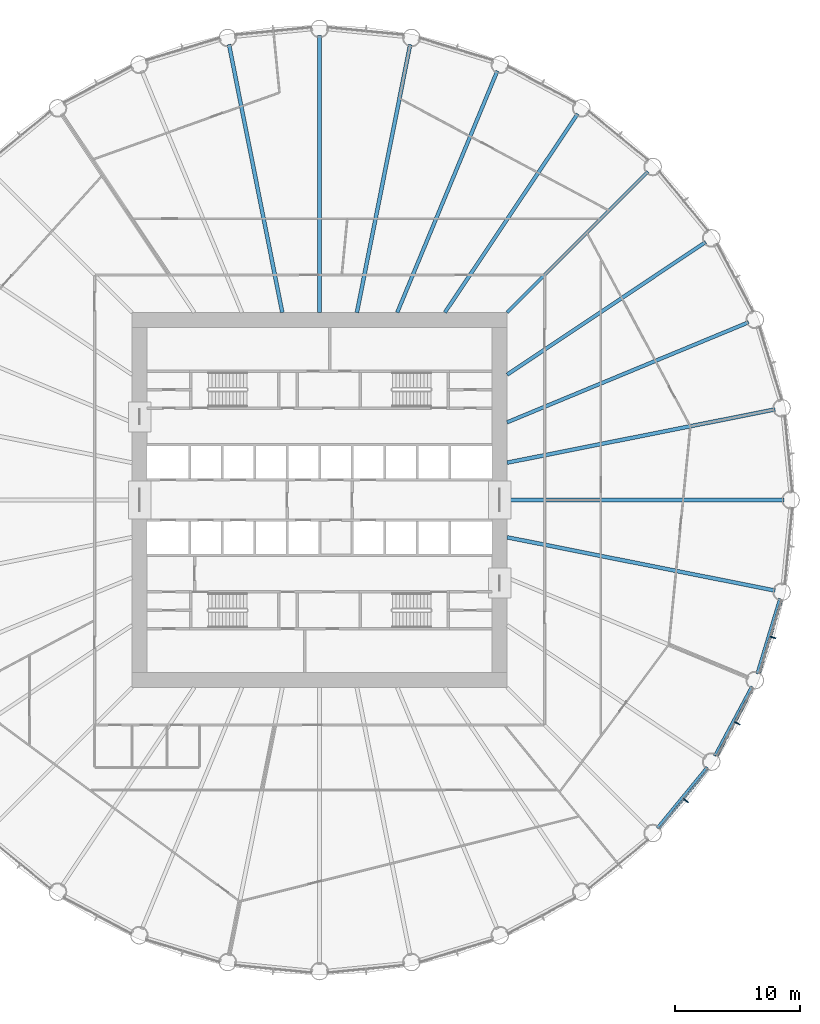
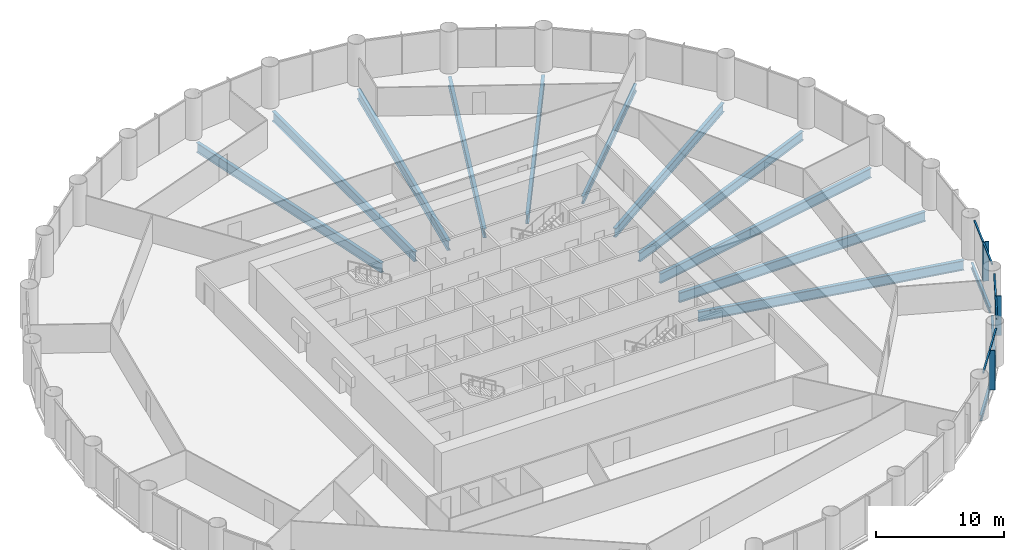
# One storey, part 5 of 15: 14 beams, 9 members, 3 elements without a shape of their own.
"""IFC4 building model written with IfcOpenShell, lengths in metres."""

from ifc_helpers import new_model, si_unit, direction, frame, origin, origin_2d, place, context, subcontext, project, spatial, rectangle, i_section, extrude, material, material_profile, profile_set, type_object, element, aggregate, save


model = new_model("IFC4")

# Units and contexts
model_context = context("Model", 3, precision=1e-05, world=origin(), true_north=direction((0.0, 1.0)))
body_context = subcontext(model_context, "Body", "Model", "MODEL_VIEW")
ifc_project = project(units=[si_unit("LENGTHUNIT", "METRE"), si_unit("AREAUNIT", "SQUARE_METRE"), si_unit("VOLUMEUNIT", "CUBIC_METRE"), si_unit("PLANEANGLEUNIT", "RADIAN"), si_unit("MASSUNIT", "GRAM", prefix="KILO")], contexts=[model_context])

# Site, building, storey
site_placement = place(None, origin())
site = spatial("IfcSite", under=ifc_project, at=site_placement, CompositionType="ELEMENT")
building_placement = place(site_placement, origin())
building = spatial("IfcBuilding", under=site, at=building_placement, Name="Corvane Civic Tower", CompositionType="ELEMENT")
storey_placement = place(building_placement, frame((0.0, 0.0, 41.0)))
storey = spatial("IfcBuildingStorey", under=building, at=storey_placement, Name="L08", CompositionType="ELEMENT", Elevation=41.0)

# Beams
ifc_material_1 = material(Name="Steel ASTM A992 Gr 50", Category="steel")
ifc_material_profile_1 = material_profile(ifc_material_1, i_section(OverallWidth=0.209228515625, OverallDepth=0.533447265625, WebThickness=0.01025390625, FlangeThickness=0.015625, at=origin_2d()), Name="W21X62")
ifc_profile_set_1 = profile_set([ifc_material_profile_1], Name="Steel ASTM A992 Gr 50")
beam_type_1 = type_object("IfcBeamType", Name="EDGE BEAM W21X62", PredefinedType="BEAM", material=ifc_profile_set_1)
for number, where, z_axis, x_axis, name in (
    (1, (36.81591796875, -7.88134765625, -0.566650390625), (-0.290273452184, -0.956943740748, 0.0), (0.956943740748, -0.290273452184, 0.0), "BM-L08-E10"),
    (2, (34.571044921875, -14.912353515625, -0.566650390625), (-0.471405897311, -0.881916367906, 0.0), (0.881916367906, -0.471405897311, 0.0), "BM-L08-E11"),
):
    element("IfcBeam", number, at=place(storey_placement, frame(where, z_axis=z_axis, x_axis=x_axis)), inside=storey, type_object=beam_type_1, Name=name, PredefinedType="BEAM", context=body_context, shape_type="SweptSolid", body=[
        extrude(i_section(OverallWidth=0.209228515625, OverallDepth=0.533447265625, WebThickness=0.01025390625, FlangeThickness=0.015625, at=origin_2d()), origin(), (0.0, 0.0, 1.0), 6.290283203125),
    ])
beam_1_placement = place(storey_placement, frame((30.99755859375, -21.3701171875, -0.566650390625), z_axis=(-0.634386787141, -0.773015785286, 0.0), x_axis=(0.773015785286, -0.634386787141, 0.0)))
element("IfcBeam", 3, at=beam_1_placement, inside=storey, type_object=beam_type_1, Name="BM-L08-E12", PredefinedType="BEAM", context=body_context, shape_type="SweptSolid", body=[
    extrude(i_section(OverallWidth=0.209228515625, OverallDepth=0.533447265625, WebThickness=0.01025390625, FlangeThickness=0.015625, at=origin_2d()), origin(), (0.0, 0.0, 1.0), 6.290771484375),
])
ifc_material_2 = material(Name="Steel ASTM A992 Gr 50", Category="steel")
ifc_material_profile_2 = material_profile(ifc_material_2, i_section(OverallWidth=0.256591796875, OverallDepth=0.693359375, WebThickness=0.014404296875, FlangeThickness=0.023681640625, at=origin_2d()), Name="W27X114")
ifc_profile_set_2 = profile_set([ifc_material_profile_2], Name="Steel ASTM A992 Gr 50")
beam_type_2 = type_object("IfcBeamType", Name="FLOOR GIRDER W27X114", PredefinedType="BEAM", material=ifc_profile_set_2)
beam_2_placement = place(storey_placement, frame((15.0, 15.0, -0.646728515625), z_axis=(0.707106781187, 0.707106781187, 0.0), x_axis=(-0.707106781187, 0.707106781187, 0.0)))
element("IfcBeam", 4, at=beam_2_placement, inside=storey, type_object=beam_type_2, Name="BM-L08-G05", PredefinedType="BEAM", context=body_context, shape_type="SweptSolid", body=[
    extrude(i_section(OverallWidth=0.256591796875, OverallDepth=0.693359375, WebThickness=0.014404296875, FlangeThickness=0.023681640625, at=origin_2d()), origin(), (0.0, 0.0, 1.0), 15.936767578125),
])
ifc_material_3 = material(Name="Steel ASTM A992 Gr 50", Category="steel")
ifc_material_profile_3 = material_profile(ifc_material_3, i_section(OverallWidth=0.2919921875, OverallDepth=0.8583984375, WebThickness=0.01708984375, FlangeThickness=0.031005859375, at=origin_2d()), Name="W33X169")
ifc_profile_set_3 = profile_set([ifc_material_profile_3], Name="Steel ASTM A992 Gr 50")
beam_type_3 = type_object("IfcBeamType", Name="FLOOR GIRDER W33X169", PredefinedType="BEAM", material=ifc_profile_set_3)
beam_3_placement = place(storey_placement, frame((6.213134765625, 15.0, -0.729248046875), z_axis=(0.382692360381, 0.923875834355, 0.0), x_axis=(-0.923875834355, 0.382692360381, 0.0)))
element("IfcBeam", 5, at=beam_3_placement, inside=storey, type_object=beam_type_3, Name="BM-L08-G03", PredefinedType="BEAM", context=body_context, shape_type="SweptSolid", body=[
    extrude(i_section(OverallWidth=0.2919921875, OverallDepth=0.8583984375, WebThickness=0.01708984375, FlangeThickness=0.031005859375, at=origin_2d()), origin(), (0.0, 0.0, 1.0), 20.9140625),
])
for number, where, z_axis, x_axis, name in (
    (6, (10.022705078125, 15.0, -0.729248046875), (0.555566681385, 0.831471985418, 0.0), (-0.831471985418, 0.555566681385, 0.0), "BM-L08-G04"),
    (7, (15.0, 10.022705078125, -0.729248046875), (0.831471985418, 0.555566681385, 0.0), (-0.555566681385, 0.831471985418, 0.0), "BM-L08-G06"),
):
    element("IfcBeam", number, at=place(storey_placement, frame(where, z_axis=z_axis, x_axis=x_axis)), inside=storey, type_object=beam_type_3, Name=name, PredefinedType="BEAM", context=body_context, shape_type="SweptSolid", body=[
        extrude(i_section(OverallWidth=0.2919921875, OverallDepth=0.8583984375, WebThickness=0.01708984375, FlangeThickness=0.031005859375, at=origin_2d()), origin(), (0.0, 0.0, 1.0), 19.109619140625),
    ])
beam_4_placement = place(storey_placement, frame((15.0, 6.213134765625, -0.729248046875), z_axis=(0.923875834355, 0.382692360381, 0.0), x_axis=(-0.382692360381, 0.923875834355, 0.0)))
element("IfcBeam", 8, at=beam_4_placement, inside=storey, type_object=beam_type_3, Name="BM-L08-G07", PredefinedType="BEAM", context=body_context, shape_type="SweptSolid", body=[
    extrude(i_section(OverallWidth=0.2919921875, OverallDepth=0.8583984375, WebThickness=0.01708984375, FlangeThickness=0.031005859375, at=origin_2d()), origin(), (0.0, 0.0, 1.0), 20.9140625),
])
ifc_material_4 = material(Name="Steel ASTM A992 Gr 50", Category="steel")
ifc_material_profile_4 = material_profile(ifc_material_4, i_section(OverallWidth=0.307373046875, OverallDepth=0.927001953125, WebThickness=0.01953125, FlangeThickness=0.031982421875, at=origin_2d()), Name="W36X194")
ifc_profile_set_4 = profile_set([ifc_material_profile_4], Name="Steel ASTM A992 Gr 50")
beam_type_4 = type_object("IfcBeamType", Name="FLOOR GIRDER W36X194", PredefinedType="BEAM", material=ifc_profile_set_4)
beam_5_placement = place(storey_placement, frame((0.0, 15.0, -0.763671875), z_axis=(0.0, 1.0, 0.0), x_axis=(-1.0, 0.0, 0.0)))
element("IfcBeam", 9, at=beam_5_placement, inside=storey, type_object=beam_type_4, Name="BM-L08-G01", PredefinedType="BEAM", context=body_context, shape_type="SweptSolid", body=[
    extrude(i_section(OverallWidth=0.307373046875, OverallDepth=0.927001953125, WebThickness=0.01953125, FlangeThickness=0.031982421875, at=origin_2d()), origin(), (0.0, 0.0, 1.0), 22.14990234375),
])
for number, where, z_axis, x_axis, name in (
    (10, (2.983642578125, 15.0, -0.763671875), (0.195089219638, 0.980785499679, 0.0), (-0.980785499679, 0.195089219638, 0.0), "BM-L08-G02"),
    (11, (15.0, 2.983642578125, -0.763671875), (0.980785499679, 0.195089219638, 0.0), (-0.195089219638, 0.980785499679, 0.0), "BM-L08-G08"),
):
    element("IfcBeam", number, at=place(storey_placement, frame(where, z_axis=z_axis, x_axis=x_axis)), inside=storey, type_object=beam_type_4, Name=name, PredefinedType="BEAM", context=body_context, shape_type="SweptSolid", body=[
        extrude(i_section(OverallWidth=0.307373046875, OverallDepth=0.927001953125, WebThickness=0.01953125, FlangeThickness=0.031982421875, at=origin_2d()), origin(), (0.0, 0.0, 1.0), 21.856201171875),
    ])
beam_6_placement = place(storey_placement, frame((15.0, 0.0, -0.763671875), z_axis=(1.0, 0.0, 0.0), x_axis=(0.0, 1.0, 0.0)))
element("IfcBeam", 12, at=beam_6_placement, inside=storey, type_object=beam_type_4, Name="BM-L08-G09", PredefinedType="BEAM", context=body_context, shape_type="SweptSolid", body=[
    extrude(i_section(OverallWidth=0.307373046875, OverallDepth=0.927001953125, WebThickness=0.01953125, FlangeThickness=0.031982421875, at=origin_2d()), origin(), (0.0, 0.0, 1.0), 22.14990234375),
])
for number, where, z_axis, x_axis, name in (
    (13, (15.0, -2.983642578125, -0.763671875), (0.980785499679, -0.195089219638, 0.0), (0.195089219638, 0.980785499679, 0.0), "BM-L08-G10"),
    (14, (-2.983642578125, 15.0, -0.763671875), (-0.195089219638, 0.980785499679, 0.0), (-0.980785499679, -0.195089219638, 0.0), "BM-L08-G32"),
):
    element("IfcBeam", number, at=place(storey_placement, frame(where, z_axis=z_axis, x_axis=x_axis)), inside=storey, type_object=beam_type_4, Name=name, PredefinedType="BEAM", context=body_context, shape_type="SweptSolid", body=[
        extrude(i_section(OverallWidth=0.307373046875, OverallDepth=0.927001953125, WebThickness=0.01953125, FlangeThickness=0.031982421875, at=origin_2d()), origin(), (0.0, 0.0, 1.0), 21.856201171875),
    ])

# Curtain wall, members
ifc_material_5 = material(Name="Anodised aluminium bronze", Category="aluminium")
curtain_wall_type = type_object("IfcCurtainWallType", Name="TOWER CW-T1 STICK CURTAIN WALL", PredefinedType="NOTDEFINED", material=ifc_material_5)
curtain_wall_1_placement = place(storey_placement, origin())
curtain_wall_1 = element("IfcCurtainWall", 15, at=curtain_wall_1_placement, inside=storey, type_object=curtain_wall_type, Name="Curtain wall CW-T1 L08 bay 10", PredefinedType="NOTDEFINED")
ifc_material_6 = material(Name="Anodised aluminium bronze", Category="aluminium")
ifc_material_profile_5 = material_profile(ifc_material_6, rectangle(XDim=0.139892578125, YDim=0.1201171875, at=origin_2d()), Name="TOWER CW-T1 TRANSOM 140x120")
ifc_profile_set_5 = profile_set([ifc_material_profile_5], Name="Anodised aluminium bronze")
member_type_1 = type_object("IfcMemberType", Name="TOWER CW-T1 TRANSOM 140x120", PredefinedType="USERDEFINED", material=ifc_profile_set_5)
member_1_placement = place(storey_placement, frame((36.959228515625, -8.02587890625, 3.68994140625), z_axis=(-0.290279914268, -0.956941780555, 0.0), x_axis=(0.956941780555, -0.290279914268, 0.0)))
member_1 = element("IfcMember", 16, at=member_1_placement, type_object=member_type_1, Name="Transom CW-T1 L08 10.1", ObjectType="TRANSOM", PredefinedType="USERDEFINED", context=body_context, shape_type="SweptSolid", body=[
    extrude(rectangle(XDim=0.139892578125, YDim=0.1201171875, at=origin_2d()), origin(), (0.0, 0.0, 1.0), 3.008544921875),
])
member_2_placement = place(storey_placement, frame((36.062744140625, -10.9814453125, 3.68994140625), z_axis=(-0.290279914268, -0.956941780555, 0.0), x_axis=(0.956941780555, -0.290279914268, 0.0)))
member_2 = element("IfcMember", 17, at=member_2_placement, type_object=member_type_1, Name="Transom CW-T1 L08 10.2", ObjectType="TRANSOM", PredefinedType="USERDEFINED", context=body_context, shape_type="SweptSolid", body=[
    extrude(rectangle(XDim=0.139892578125, YDim=0.1201171875, at=origin_2d()), origin(), (0.0, 0.0, 1.0), 3.008544921875),
])

curtain_wall_2_placement = place(storey_placement, origin())
curtain_wall_2 = element("IfcCurtainWall", 18, at=curtain_wall_2_placement, inside=storey, type_object=curtain_wall_type, Name="Curtain wall CW-T1 L08 bay 11", PredefinedType="NOTDEFINED")
member_3_placement = place(storey_placement, frame((34.683349609375, -15.08203125, 3.68994140625), z_axis=(-0.471392506424, -0.881923525532, 0.0), x_axis=(0.881923525532, -0.471392506424, 0.0)))
member_3 = element("IfcMember", 19, at=member_3_placement, type_object=member_type_1, Name="Transom CW-T1 L08 11.1", ObjectType="TRANSOM", PredefinedType="USERDEFINED", context=body_context, shape_type="SweptSolid", body=[
    extrude(rectangle(XDim=0.139892578125, YDim=0.1201171875, at=origin_2d()), origin(), (0.0, 0.0, 1.0), 3.008544921875),
])
member_4_placement = place(storey_placement, frame((33.2275390625, -17.805908203125, 3.68994140625), z_axis=(-0.471392506424, -0.881923525532, 0.0), x_axis=(0.881923525532, -0.471392506424, 0.0)))
member_4 = element("IfcMember", 20, at=member_4_placement, type_object=member_type_1, Name="Transom CW-T1 L08 11.2", ObjectType="TRANSOM", PredefinedType="USERDEFINED", context=body_context, shape_type="SweptSolid", body=[
    extrude(rectangle(XDim=0.139892578125, YDim=0.1201171875, at=origin_2d()), origin(), (0.0, 0.0, 1.0), 3.008544921875),
])

curtain_wall_3_placement = place(storey_placement, origin())
curtain_wall_3 = element("IfcCurtainWall", 21, at=curtain_wall_3_placement, inside=storey, type_object=curtain_wall_type, Name="Curtain wall CW-T1 L08 bay 12", PredefinedType="NOTDEFINED")
member_5_placement = place(storey_placement, frame((31.074462890625, -21.55859375, 3.68994140625), z_axis=(-0.634355161466, -0.773041738279, 0.0), x_axis=(0.773041738279, -0.634355161466, 0.0)))
member_5 = element("IfcMember", 22, at=member_5_placement, type_object=member_type_1, Name="Transom CW-T1 L08 12.1", ObjectType="TRANSOM", PredefinedType="USERDEFINED", context=body_context, shape_type="SweptSolid", body=[
    extrude(rectangle(XDim=0.139892578125, YDim=0.1201171875, at=origin_2d()), origin(), (0.0, 0.0, 1.0), 3.008544921875),
])
member_6_placement = place(storey_placement, frame((29.115234375, -23.946044921875, 3.68994140625), z_axis=(-0.634403652865, -0.773001943873, 0.0), x_axis=(0.773001943873, -0.634403652865, 0.0)))
member_6 = element("IfcMember", 23, at=member_6_placement, type_object=member_type_1, Name="Transom CW-T1 L08 12.2", ObjectType="TRANSOM", PredefinedType="USERDEFINED", context=body_context, shape_type="SweptSolid", body=[
    extrude(rectangle(XDim=0.139892578125, YDim=0.1201171875, at=origin_2d()), origin(), (0.0, 0.0, 1.0), 3.008544921875),
])

# Member
ifc_material_7 = material(Name="Anodised aluminium bronze", Category="aluminium")
ifc_material_profile_6 = material_profile(ifc_material_7, rectangle(XDim=0.080078125, YDim=0.5, at=origin_2d()), Name="TOWER FIN MULLION 80x500 BRONZE")
ifc_profile_set_6 = profile_set([ifc_material_profile_6], Name="Anodised aluminium bronze")
member_type_2 = type_object("IfcMemberType", Name="TOWER FIN MULLION 80x500 BRONZE", PredefinedType="MULLION", material=ifc_profile_set_6)
member_7_placement = place(storey_placement, frame((36.265625, -11.001220703125, 0.0), z_axis=(0.0, 0.0, 1.0), x_axis=(-0.290278397654, -0.956942240606, 0.0)))
member_7 = element("IfcMember", 24, at=member_7_placement, type_object=member_type_2, Name="Fin mullion 10 L08", PredefinedType="MULLION", context=body_context, shape_type="SweptSolid", body=[
    extrude(rectangle(XDim=0.080078125, YDim=0.5, at=origin_2d()), origin(), (0.0, 0.0, 1.0), 3.75),
])

aggregate(curtain_wall_1, [member_7, member_1, member_2])

member_8_placement = place(storey_placement, frame((33.422607421875, -17.86474609375, 0.0), z_axis=(0.0, 0.0, 1.0), x_axis=(-0.471403725359, -0.881917528864, 0.0)))
member_8 = element("IfcMember", 25, at=member_8_placement, type_object=member_type_2, Name="Fin mullion 11 L08", PredefinedType="MULLION", context=body_context, shape_type="SweptSolid", body=[
    extrude(rectangle(XDim=0.080078125, YDim=0.5, at=origin_2d()), origin(), (0.0, 0.0, 1.0), 3.75),
])

aggregate(curtain_wall_2, [member_8, member_3, member_4])

member_9_placement = place(storey_placement, frame((29.295166015625, -24.0419921875, 0.0), z_axis=(0.0, 0.0, 1.0), x_axis=(-0.634397218569, -0.773007224463, 0.0)))
member_9 = element("IfcMember", 26, at=member_9_placement, type_object=member_type_2, Name="Fin mullion 12 L08", PredefinedType="MULLION", context=body_context, shape_type="SweptSolid", body=[
    extrude(rectangle(XDim=0.080078125, YDim=0.5, at=origin_2d()), origin(), (0.0, 0.0, 1.0), 3.75),
])

aggregate(curtain_wall_3, [member_9, member_5, member_6])

save(model, "model.ifc")
